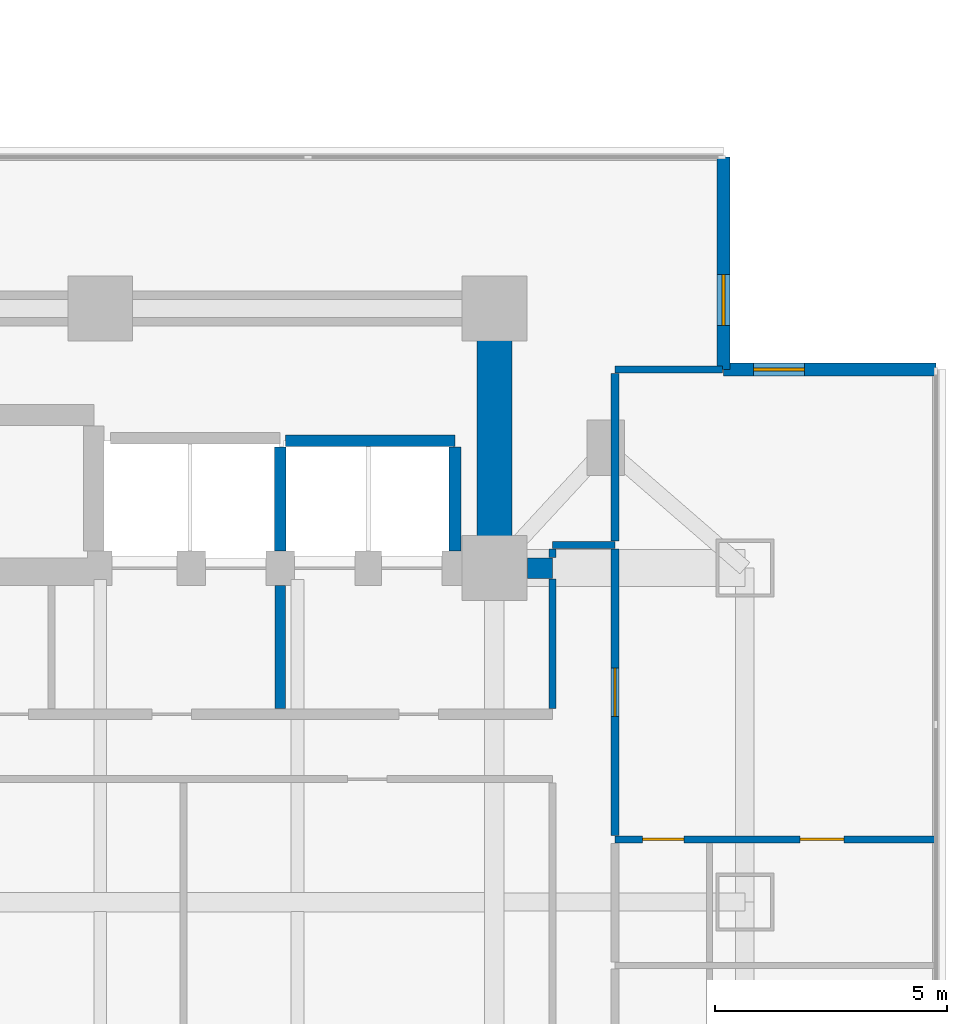
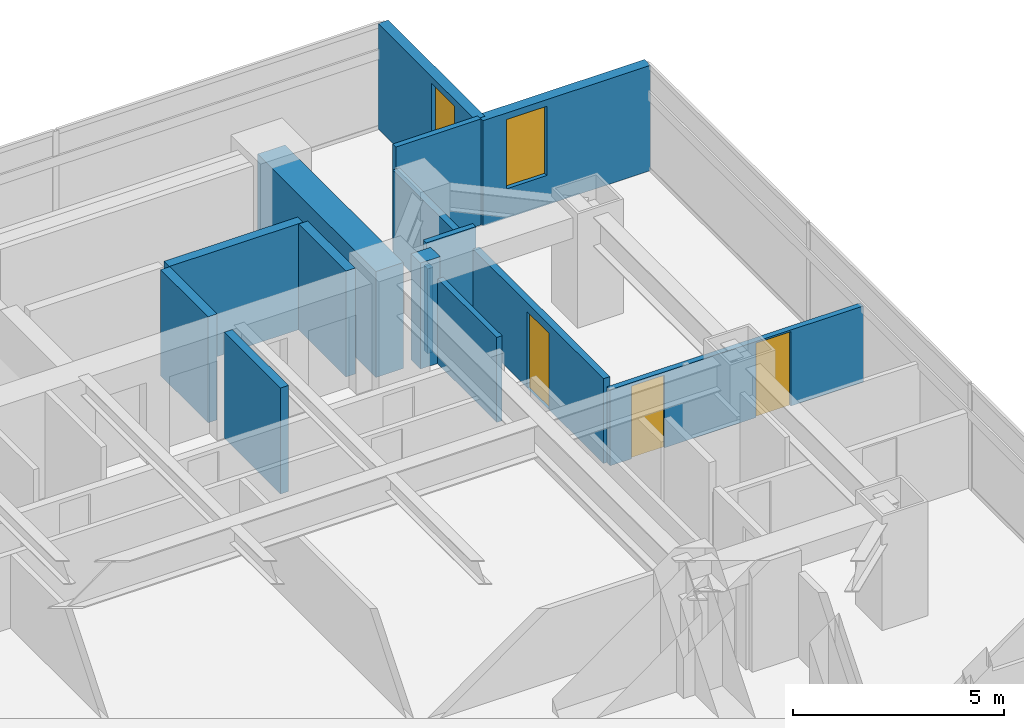
# One storey, part 18 of 26: 15 walls, 3 doors, 2 windows, 5 openings.
"""IFC4 building model written with IfcOpenShell, lengths in metres."""

from ifc_helpers import new_model, si_unit, direction, frame, frame_2d, origin, place, context, subcontext, project, spatial, rectangle, extrude, material, layer, layer_set, type_object, element, fill, save


model = new_model("IFC4")

# Units and contexts
model_context = context("Model", 3, precision=1e-05, world=origin(), true_north=direction((0.0, 1.0)))
body_context = subcontext(model_context, "Body", "Model", "MODEL_VIEW")
ifc_project = project(units=[si_unit("LENGTHUNIT", "METRE"), si_unit("AREAUNIT", "SQUARE_METRE"), si_unit("VOLUMEUNIT", "CUBIC_METRE"), si_unit("PLANEANGLEUNIT", "RADIAN"), si_unit("MASSUNIT", "GRAM", prefix="KILO")], contexts=[model_context])

# Site, building, storey
site_placement = place(None, origin())
site = spatial("IfcSite", under=ifc_project, at=site_placement, CompositionType="ELEMENT")
building_placement = place(site_placement, origin())
building = spatial("IfcBuilding", under=site, at=building_placement, Name="Mirazonda Arch Towers", CompositionType="ELEMENT")
storey_placement = place(building_placement, frame((0.0, 0.0, 25.699951171875)))
storey = spatial("IfcBuildingStorey", under=building, at=storey_placement, Name="L06", CompositionType="ELEMENT", Elevation=25.699951171875)

# Walls
ifc_material_1 = material(Name="Concrete C50/60", Category="concrete")
ifc_layer_1 = layer(ifc_material_1, 0.449951171875, Name="WALL-CORE-450")
ifc_layer_set_1 = layer_set([ifc_layer_1], Name="Concrete C50/60")
wall_type_1 = type_object("IfcWallType", Name="WALL-CORE-450", PredefinedType="SHEAR", material=ifc_layer_set_1)
wall_1_placement = place(storey_placement, frame((85.715087890625, 35.199951171875, 0.0), z_axis=(0.0, 0.0, 1.0), x_axis=(1.0, 0.0, 0.0)))
element("IfcWall", 1, at=wall_1_placement, inside=storey, type_object=wall_type_1, Name="L06 Stair Core Shear Wall 049", PredefinedType="SHEAR", context=body_context, shape_type="SweptSolid", body=[
    extrude(rectangle(XDim=0.534912109375, YDim=0.449951171875, at=frame_2d((0.267578125, 0.0))), origin(), (0.0, 0.0, 1.0), 3.06005859375),
])
ifc_material_2 = material(Name="Concrete C60/75", Category="concrete")
ifc_layer_2 = layer(ifc_material_2, 0.75, Name="WALL-CORE-750")
ifc_layer_set_2 = layer_set([ifc_layer_2], Name="Concrete C60/75")
wall_type_2 = type_object("IfcWallType", Name="WALL-CORE-750", PredefinedType="SHEAR", material=ifc_layer_set_2)
wall_2_placement = place(storey_placement, frame((85.0, 35.199951171875, 0.0), z_axis=(0.0, 0.0, 1.0), x_axis=(0.0, 1.0, 0.0)))
element("IfcWall", 2, at=wall_2_placement, inside=storey, type_object=wall_type_2, Name="L06 T2N-E Core Shear Wall", PredefinedType="SHEAR", context=body_context, shape_type="SweptSolid", body=[
    extrude(rectangle(XDim=5.60009765625, YDim=0.75, at=frame_2d((2.800048828125, 0.0))), origin(), (0.0, 0.0, 1.0), 3.06005859375),
])

# Wall, opening, window
ifc_material_3 = material(Name="Precast Concrete C40/50", Category="concrete")
ifc_layer_3 = layer(ifc_material_3, 0.280029296875, Name="WALL-EXT-WALL-280")
ifc_layer_set_3 = layer_set([ifc_layer_3], Name="Precast Concrete C40/50")
wall_type_3 = type_object("IfcWallType", Name="WALL-EXT-WALL-280", PredefinedType="SOLIDWALL", material=ifc_layer_set_3)
wall_3_placement = place(storey_placement, frame((89.93798828125, 39.4833984375, 0.0), z_axis=(0.0, 0.0, 1.0), x_axis=(0.0, 1.0, 0.0)))
wall_3 = element("IfcWall", 3, at=wall_3_placement, inside=storey, type_object=wall_type_3, Name="L06 T2 Notched NE Corner Wall WL-L06-T2-CNE", PredefinedType="SOLIDWALL", context=body_context, shape_type="SweptSolid", body=[
    extrude(rectangle(XDim=4.579833984375, YDim=0.280029296875, at=frame_2d((2.2900390625, 0.0))), origin(), (0.0, 0.0, 1.0), 3.0400390625),
])
opening_1_placement = place(wall_3_placement, frame((0.949951171875, 0.0, 0.85009765625)))
opening_1 = element("IfcOpeningElement", 4, at=opening_1_placement, cuts=wall_3, Name="Opening WN-108", PredefinedType="OPENING", context=body_context, shape_type="SweptSolid", body=[
    extrude(rectangle(XDim=1.10009765625, YDim=2.0, at=frame_2d((0.550048828125, 1.0))), frame((0.0, 0.14990234375, 0.0), z_axis=(0.0, -1.0, 0.0), x_axis=(1.0, 0.0, 0.0)), (0.0, 0.0, 1.0), 0.300048828125),
])
ifc_material_4 = material(Name="Insulated Low-E Solar Glass", Category="glass")
window_type = type_object("IfcWindowType", Name="WIN-NOTCH-1100x2000", PartitioningType="SINGLE_PANEL", PredefinedType="WINDOW", material=ifc_material_4)
window_1_placement = place(opening_1_placement, origin())
window_1 = element("IfcWindow", 5, at=window_1_placement, inside=storey, type_object=window_type, Name="L06 Punched Facade Window WN-L06-T2-CNE", OverallHeight=2.0, OverallWidth=1.10009765625, PartitioningType="SINGLE_PANEL", PredefinedType="WINDOW", context=body_context, shape_type="SweptSolid", body=[
    extrude(rectangle(XDim=1.10009765625, YDim=2.0, at=frame_2d((0.550048828125, 1.0))), frame((0.0, 0.030029296875, 0.0), z_axis=(0.0, -1.0, 0.0), x_axis=(1.0, 0.0, 0.0)), (0.0, 0.0, 1.0), 0.06005859375),
])
fill(opening_1, window_1)

wall_4_placement = place(storey_placement, frame((94.51806640625, 39.4833984375, 0.0), z_axis=(0.0, 0.0, 1.0), x_axis=(-1.0, 0.0, 0.0)))
wall_4 = element("IfcWall", 6, at=wall_4_placement, inside=storey, type_object=wall_type_3, Name="L06 T2 Corner Notch Return Wall WL-L06-T2-CNE2", PredefinedType="SOLIDWALL", context=body_context, shape_type="SweptSolid", body=[
    extrude(rectangle(XDim=4.580078125, YDim=0.280029296875, at=frame_2d((2.2900390625, 0.0))), origin(), (0.0, 0.0, 1.0), 3.0400390625),
])
opening_2_placement = place(wall_4_placement, frame((2.830078125, 0.0, 0.85009765625)))
opening_2 = element("IfcOpeningElement", 7, at=opening_2_placement, cuts=wall_4, Name="Opening WN-108", PredefinedType="OPENING", context=body_context, shape_type="SweptSolid", body=[
    extrude(rectangle(XDim=1.10009765625, YDim=2.0, at=frame_2d((0.550048828125, 1.0))), frame((0.0, 0.14990234375, 0.0), z_axis=(0.0, -1.0, 0.0), x_axis=(1.0, 0.0, 0.0)), (0.0, 0.0, 1.0), 0.300048828125),
])
window_2_placement = place(opening_2_placement, origin())
window_2 = element("IfcWindow", 8, at=window_2_placement, inside=storey, type_object=window_type, Name="L06 Punched Facade Window WN-L06-T2-CNE2", OverallHeight=2.0, OverallWidth=1.10009765625, PartitioningType="SINGLE_PANEL", PredefinedType="WINDOW", context=body_context, shape_type="SweptSolid", body=[
    extrude(rectangle(XDim=1.10009765625, YDim=2.0, at=frame_2d((0.550048828125, 1.0))), frame((0.0, 0.030029296875, 0.0), z_axis=(0.0, -1.0, 0.0), x_axis=(1.0, 0.0, 0.0)), (0.0, 0.0, 1.0), 0.06005859375),
])
fill(opening_2, window_2)

# Wall
ifc_material_5 = material(Name="Concrete C40/50", Category="concrete")
ifc_layer_4 = layer(ifc_material_5, 0.219970703125, Name="WALL-FFL-220")
ifc_layer_set_4 = layer_set([ifc_layer_4], Name="Concrete C40/50")
wall_type_4 = type_object("IfcWallType", Name="WALL-FFL-220", PredefinedType="SOLIDWALL", material=ifc_layer_set_4)
wall_5_placement = place(storey_placement, frame((80.3798828125, 32.169921875, 0.0), z_axis=(0.0, 0.0, 1.0), x_axis=(0.0, 1.0, 0.0)))
element("IfcWall", 9, at=wall_5_placement, inside=storey, type_object=wall_type_4, Name="L06 Interior Partition 147", PredefinedType="SOLIDWALL", context=body_context, shape_type="SweptSolid", body=[
    extrude(rectangle(XDim=2.66015625, YDim=0.219970703125, at=frame_2d((1.330078125, 0.0))), origin(), (0.0, 0.0, 1.0), 3.06005859375),
])

# Wall, openings, doors
ifc_material_6 = material(Name="Fire-Rated Gypsum Stud Partition")
ifc_layer_5 = layer(ifc_material_6, 0.14990234375, Name="WALL-PART-CORR-150")
ifc_layer_set_5 = layer_set([ifc_layer_5], Name="Fire-Rated Gypsum Stud Partition")
wall_type_5 = type_object("IfcWallType", Name="WALL-PART-CORR-150", PredefinedType="PARTITIONING", material=ifc_layer_set_5)
wall_6_placement = place(storey_placement, frame((87.60009765625, 29.35205078125, 0.0), z_axis=(0.0, 0.0, 1.0), x_axis=(1.0, 0.0, 0.0)))
wall_6 = element("IfcWall", 10, at=wall_6_placement, inside=storey, type_object=wall_type_5, Name="L06 Interior Partition 035", PredefinedType="PARTITIONING", context=body_context, shape_type="SweptSolid", body=[
    extrude(rectangle(XDim=6.91796875, YDim=0.14990234375, at=frame_2d((3.458984375, 0.0))), origin(), (0.0, 0.0, 1.0), 2.196044921875),
])
opening_3_placement = place(wall_6_placement, frame((3.98388671875, 0.0, 0.0)))
opening_3 = element("IfcOpeningElement", 11, at=opening_3_placement, cuts=wall_6, Name="Opening DR-104", PredefinedType="OPENING", context=body_context, shape_type="SweptSolid", body=[
    extrude(rectangle(XDim=0.949951171875, YDim=2.14990234375, at=frame_2d((0.47509765625, 1.074951171875))), frame((0.0, 0.0849609375, 0.0), z_axis=(0.0, -1.0, 0.0), x_axis=(1.0, 0.0, 0.0)), (0.0, 0.0, 1.0), 0.169921875),
])
opening_4_placement = place(wall_6_placement, frame((0.590087890625, 0.0, 0.0)))
opening_4 = element("IfcOpeningElement", 12, at=opening_4_placement, cuts=wall_6, Name="Opening DR-120", PredefinedType="OPENING", context=body_context, shape_type="SweptSolid", body=[
    extrude(rectangle(XDim=0.89990234375, YDim=2.10009765625, at=frame_2d((0.449951171875, 1.050048828125))), frame((0.0, 0.0849609375, 0.0), z_axis=(0.0, -1.0, 0.0), x_axis=(1.0, 0.0, 0.0)), (0.0, 0.0, 1.0), 0.169921875),
])
ifc_material_7 = material(Name="Architectural Brushed Steel S355", Category="steel")
door_type_1 = type_object("IfcDoorType", Name="DOOR-ROOM-950", OperationType="NOTDEFINED", PredefinedType="DOOR", material=ifc_material_7)
door_1_placement = place(opening_3_placement, origin())
door_1 = element("IfcDoor", 13, at=door_1_placement, inside=storey, type_object=door_type_1, Name="L06 Suite Bedroom 2 Door", OperationType="SINGLE_SWING_RIGHT", OverallHeight=2.14990234375, OverallWidth=0.949951171875, PredefinedType="DOOR", context=body_context, shape_type="SweptSolid", body=[
    extrude(rectangle(XDim=0.949951171875, YDim=2.14990234375, at=frame_2d((0.47509765625, 1.074951171875))), frame((0.0, 0.02490234375, 0.0), z_axis=(0.0, -1.0, 0.0), x_axis=(1.0, 0.0, 0.0)), (0.0, 0.0, 1.0), 0.050048828125),
])
fill(opening_3, door_1)
door_type_2 = type_object("IfcDoorType", Name="DOOR-WC-900", OperationType="NOTDEFINED", PredefinedType="DOOR", material=ifc_material_7)
door_2_placement = place(opening_4_placement, origin())
door_2 = element("IfcDoor", 14, at=door_2_placement, inside=storey, type_object=door_type_2, Name="L06 Suite En-Suite Bathroom 2 Door", OperationType="SINGLE_SWING_LEFT", OverallHeight=2.10009765625, OverallWidth=0.89990234375, PredefinedType="DOOR", context=body_context, shape_type="SweptSolid", body=[
    extrude(rectangle(XDim=0.89990234375, YDim=2.10009765625, at=frame_2d((0.449951171875, 1.050048828125))), frame((0.0, 0.02490234375, 0.0), z_axis=(0.0, -1.0, 0.0), x_axis=(1.0, 0.0, 0.0)), (0.0, 0.0, 1.0), 0.050048828125),
])
fill(opening_4, door_2)

# Walls
wall_7_placement = place(storey_placement, frame((86.25, 35.699951171875, 0.0), z_axis=(0.0, 0.0, 1.0), x_axis=(1.0, 0.0, 0.0)))
element("IfcWall", 15, at=wall_7_placement, inside=storey, type_object=wall_type_5, Name="L06 Interior Partition 051", PredefinedType="PARTITIONING", context=body_context, shape_type="SweptSolid", body=[
    extrude(rectangle(XDim=1.35009765625, YDim=0.14990234375, at=frame_2d((0.675048828125, 0.0))), origin(), (0.0, 0.0, 1.0), 3.06005859375),
])
wall_8_placement = place(storey_placement, frame((87.60009765625, 39.48291015625, 0.0), z_axis=(0.0, 0.0, 1.0), x_axis=(1.0, 0.0, 0.0)))
element("IfcWall", 16, at=wall_8_placement, inside=storey, type_object=wall_type_5, Name="L06 Interior Partition 056", PredefinedType="PARTITIONING", context=body_context, shape_type="SweptSolid", body=[
    extrude(rectangle(XDim=2.31787109375, YDim=0.14990234375, at=frame_2d((1.158935546875, 0.0))), origin(), (0.0, 0.0, 1.0), 3.06005859375),
])
wall_9_placement = place(storey_placement, frame((86.25, 32.169921875, 0.0), z_axis=(0.0, 0.0, 1.0), x_axis=(0.0, 1.0, 0.0)))
element("IfcWall", 17, at=wall_9_placement, inside=storey, type_object=wall_type_5, Name="L06 Interior Partition 153", PredefinedType="PARTITIONING", context=body_context, shape_type="SweptSolid", body=[
    extrude(rectangle(XDim=2.795166015625, YDim=0.14990234375, at=frame_2d((1.3974609375, 0.0))), origin(), (0.0, 0.0, 1.0), 2.4521484375),
])
wall_10_placement = place(storey_placement, frame((86.25, 35.43505859375, 0.0), z_axis=(0.0, 0.0, 1.0), x_axis=(0.0, 1.0, 0.0)))
element("IfcWall", 18, at=wall_10_placement, inside=storey, type_object=wall_type_5, Name="L06 Interior Partition 154", PredefinedType="PARTITIONING", context=body_context, shape_type="SweptSolid", body=[
    extrude(rectangle(XDim=0.179931640625, YDim=0.14990234375, at=frame_2d((0.08984375, 0.0))), origin(), (0.0, 0.0, 1.0), 2.4521484375),
])

# Wall, opening, door
ifc_material_8 = material(Name="Fire-Rated Gypsum Twin-Stud Assembly")
ifc_layer_6 = layer(ifc_material_8, 0.179931640625, Name="WALL-PART-DEMISE-180")
ifc_layer_set_6 = layer_set([ifc_layer_6], Name="Fire-Rated Gypsum Twin-Stud Assembly")
wall_type_6 = type_object("IfcWallType", Name="WALL-PART-DEMISE-180", PredefinedType="PARTITIONING", material=ifc_layer_set_6)
wall_11_placement = place(storey_placement, frame((87.60009765625, 29.43701171875, 0.0), z_axis=(0.0, 0.0, 1.0), x_axis=(0.0, 1.0, 0.0)))
wall_11 = element("IfcWall", 19, at=wall_11_placement, inside=storey, type_object=wall_type_6, Name="L06 Interior Partition 159", PredefinedType="PARTITIONING", context=body_context, shape_type="SweptSolid", body=[
    extrude(rectangle(XDim=6.177978515625, YDim=0.179931640625, at=frame_2d((3.0888671875, 0.0))), origin(), (0.0, 0.0, 1.0), 2.4521484375),
])
opening_5_placement = place(wall_11_placement, frame((2.56396484375, 0.0, 0.0)))
opening_5 = element("IfcOpeningElement", 20, at=opening_5_placement, cuts=wall_11, Name="Opening DR-121", PredefinedType="OPENING", context=body_context, shape_type="SweptSolid", body=[
    extrude(rectangle(XDim=1.050048828125, YDim=2.199951171875, at=frame_2d((0.52490234375, 1.10009765625))), frame((0.0, 0.099853515625, 0.0), z_axis=(0.0, -1.0, 0.0), x_axis=(1.0, 0.0, 0.0)), (0.0, 0.0, 1.0), 0.199951171875),
])
door_type_3 = type_object("IfcDoorType", Name="DOOR-SUITE-FD60-1050", OperationType="NOTDEFINED", PredefinedType="DOOR", material=ifc_material_7)
door_3_placement = place(opening_5_placement, origin())
door_3 = element("IfcDoor", 21, at=door_3_placement, inside=storey, type_object=door_type_3, Name="L06 Deluxe Suite Living Room 2 Door", OperationType="SINGLE_SWING_LEFT", OverallHeight=2.199951171875, OverallWidth=1.050048828125, PredefinedType="DOOR", context=body_context, shape_type="SweptSolid", body=[
    extrude(rectangle(XDim=1.050048828125, YDim=2.199951171875, at=frame_2d((0.52490234375, 1.10009765625))), frame((0.0, 0.02490234375, 0.0), z_axis=(0.0, -1.0, 0.0), x_axis=(1.0, 0.0, 0.0)), (0.0, 0.0, 1.0), 0.050048828125),
])
fill(opening_5, door_3)

# Walls
wall_12_placement = place(storey_placement, frame((87.60009765625, 35.784912109375, 0.0), z_axis=(0.0, 0.0, 1.0), x_axis=(0.0, 1.0, 0.0)))
element("IfcWall", 22, at=wall_12_placement, inside=storey, type_object=wall_type_6, Name="L06 Interior Partition 160", PredefinedType="PARTITIONING", context=body_context, shape_type="SweptSolid", body=[
    extrude(rectangle(XDim=3.613037109375, YDim=0.179931640625, at=frame_2d((1.806640625, 0.0))), origin(), (0.0, 0.0, 1.0), 2.43603515625),
])
ifc_layer_7 = layer(ifc_material_5, 0.25, Name="WALL-SHAFT-250")
ifc_layer_set_7 = layer_set([ifc_layer_7], Name="Concrete C40/50")
wall_type_7 = type_object("IfcWallType", Name="WALL-SHAFT-250", PredefinedType="SOLIDWALL", material=ifc_layer_set_7)
wall_13_placement = place(storey_placement, frame((80.5, 37.949951171875, 0.0), z_axis=(0.0, 0.0, 1.0), x_axis=(1.0, 0.0, 0.0)))
element("IfcWall", 23, at=wall_13_placement, inside=storey, type_object=wall_type_7, Name="L06 Interior Partition 052", PredefinedType="SOLIDWALL", context=body_context, shape_type="SweptSolid", body=[
    extrude(rectangle(XDim=3.64990234375, YDim=0.25, at=frame_2d((1.824951171875, 0.0))), origin(), (0.0, 0.0, 1.0), 3.06005859375),
])
for number, where, z_axis, x_axis, name in (
    (24, (80.3798828125, 35.570068359375, 0.0), (0.0, 0.0, 1.0), (0.0, 1.0, 0.0), "L06 Interior Partition 148"),
    (25, (84.14990234375, 35.570068359375, 0.0), (0.0, 0.0, 1.0), (0.0, 1.0, 0.0), "L06 Interior Partition 150"),
):
    element("IfcWall", number, at=place(storey_placement, frame(where, z_axis=z_axis, x_axis=x_axis)), inside=storey, type_object=wall_type_7, Name=name, PredefinedType="SOLIDWALL", context=body_context, shape_type="SweptSolid", body=[
        extrude(rectangle(XDim=2.244873046875, YDim=0.25, at=frame_2d((1.12255859375, 0.0))), origin(), (0.0, 0.0, 1.0), 3.06005859375),
    ])

save(model, "model.ifc")
